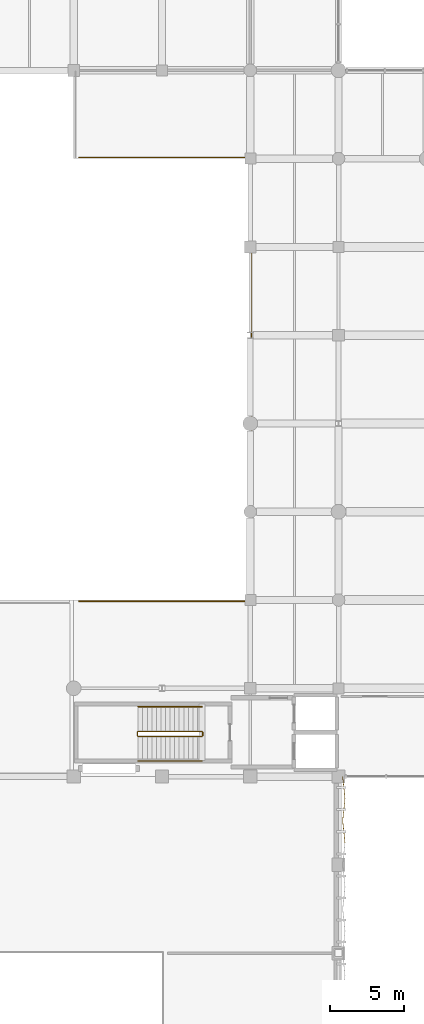
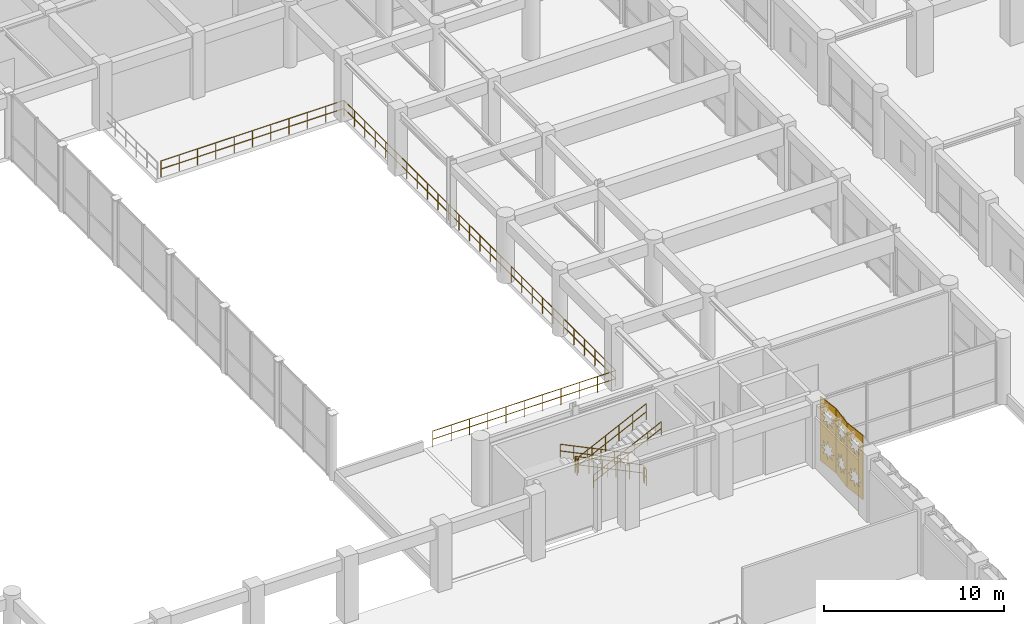
# One storey, part 131 of 133: 8 railings, 3 coverings.
"""IFC4 building model written with IfcOpenShell, lengths in metres."""

from ifc_helpers import new_model, si_unit, direction, frame, origin, origin_2d, place, context, subcontext, project, spatial, polyline, circle, outline, extrude, material, layer, layer_set, type_object, element, save


model = new_model("IFC4")

# Units and contexts
model_context = context("Model", 3, precision=1e-05, world=origin(), true_north=direction((0.0, 1.0)))
body_context = subcontext(model_context, "Body", "Model", "MODEL_VIEW")
ifc_project = project(units=[si_unit("LENGTHUNIT", "METRE"), si_unit("AREAUNIT", "SQUARE_METRE"), si_unit("VOLUMEUNIT", "CUBIC_METRE"), si_unit("PLANEANGLEUNIT", "RADIAN"), si_unit("MASSUNIT", "GRAM", prefix="KILO"), si_unit("THERMODYNAMICTEMPERATUREUNIT", "KELVIN"), si_unit("POWERUNIT", "WATT")], contexts=[model_context])

# Site, building, storey
site_placement = place(None, origin())
site = spatial("IfcSite", under=ifc_project, at=site_placement, CompositionType="ELEMENT")
building_placement = place(site_placement, origin())
building = spatial("IfcBuilding", under=site, at=building_placement, Name="Phaisarnlok Congress Hotel", CompositionType="ELEMENT")
storey_placement = place(building_placement, frame((0.0, 0.0, 6.0)))
storey = spatial("IfcBuildingStorey", under=building, at=storey_placement, Name="L01", CompositionType="ELEMENT", Elevation=6.0)

# Coverings
ifc_material_1 = material(Name="PVDF White Perforated Aluminium Alloy 5052", Category="aluminium")
ifc_layer = layer(ifc_material_1, 0.0400390625, Name="PVDF White Perforated Aluminium Alloy 5052")
ifc_layer_set = layer_set([ifc_layer], Name="PVDF White Perforated Aluminium Alloy 5052")
covering_type = type_object("IfcCoveringType", Name="COV-STAR-FOLD", PredefinedType="CLADDING", material=ifc_layer_set)
for number, where, z_axis, x_axis, name in (
    (1, (144.300048828125, 33.0, 0.06005859375), (-0.994517863207, -0.104566819602, 0.0), (0.104566819602, -0.994517863207, 0.0), "Folded star-perforated hall screen SS-02 (V2E L01)"),
    (2, (144.457763671875, 34.5, 0.06005859375), (-0.994517863207, 0.104566819602, 0.0), (-0.104566819602, -0.994517863207, 0.0), "Folded star-perforated hall screen SS-02 (V2E L01)"),
    (3, (144.300048828125, 36.0, 0.06005859375), (-0.994517863207, -0.104566819602, 0.0), (0.104566819602, -0.994517863207, 0.0), "Folded star-perforated hall screen SS-02 (V2E L01)"),
):
    element("IfcCovering", number, at=place(storey_placement, frame(where, z_axis=z_axis, x_axis=x_axis)), inside=storey, type_object=covering_type, Name=name, PredefinedType="CLADDING", context=body_context, shape_type="SweptSolid", body=[
        extrude(outline(polyline([(0.0, 0.0), (1.5082685344258453, 0.0), (1.5082685344258453, 4.35986328125), (0.0, 4.35986328125), (0.0, 0.0)]), holes=[polyline([(1.0351, 0.9736), (1.2021, 0.6421), (0.8705, 0.8091), (0.7541, 0.4565), (0.6378, 0.8091), (0.3062, 0.6421), (0.4732, 0.9736), (0.1207, 1.09), (0.4732, 1.2064), (0.3062, 1.5379), (0.6378, 1.3709), (0.7541, 1.7235), (0.8705, 1.3709), (1.2021, 1.5379), (1.0351, 1.2064), (1.3876, 1.09), (1.0351, 0.9736)]), polyline([(1.0351, 3.1536), (1.2021, 2.8221), (0.8705, 2.9891), (0.7541, 2.6365), (0.6378, 2.9891), (0.3062, 2.8221), (0.4732, 3.1536), (0.1207, 3.27), (0.4732, 3.3864), (0.3062, 3.7179), (0.6378, 3.5509), (0.7541, 3.9035), (0.8705, 3.5509), (1.2021, 3.7179), (1.0351, 3.3864), (1.3876, 3.27), (1.0351, 3.1536)])]), origin(), (0.0, 0.0, 1.0), 0.0400390625),
    ])

# Railings
ifc_material_2 = material(Name="Laminated Glass & Stainless Steel Grade 316", Category="steel")
railing_type_1 = type_object("IfcRailingType", Name="RLG-INT-1100", PredefinedType="BALUSTRADE", material=ifc_material_2)
railing_1_placement = place(storey_placement, frame((138.080078125, 47.919921875, 0.0)))
element("IfcRailing", 4, at=railing_1_placement, inside=storey, type_object=railing_type_1, Name="Atrium gallery guard balustrade GD-02 (L01 v4_e)", PredefinedType="BALUSTRADE", context=body_context, shape_type="SweptSolid", body=[
    extrude(circle(Radius=0.02392578125, at=origin_2d()), frame((0.0, 0.0, 1.076171875), z_axis=(0.0, 1.0, 0.0), x_axis=(-1.0, 0.0, 0.0)), (0.0, 0.0, 1.0), 30.16015625),
    extrude(circle(Radius=0.02392578125, at=origin_2d()), frame((0.0, 0.0, 0.52587890625), z_axis=(0.0, 1.0, 0.0), x_axis=(-1.0, 0.0, 0.0)), (0.0, 0.0, 1.0), 30.16015625),
    extrude(circle(Radius=0.02392578125, at=origin_2d()), frame((0.0, 30.16015625, 1.076171875), z_axis=(-1.0, 0.0, 0.0), x_axis=(0.0, -1.0, 0.0)), (0.0, 0.0, 1.0), 11.719970703125),
    extrude(circle(Radius=0.02392578125, at=origin_2d()), frame((0.0, 30.16015625, 0.52587890625), z_axis=(-1.0, 0.0, 0.0), x_axis=(0.0, -1.0, 0.0)), (0.0, 0.0, 1.0), 11.719970703125),
    extrude(circle(Radius=0.02099609375, at=origin_2d()), origin(), (0.0, 0.0, 1.0), 1.052001953125),
    extrude(circle(Radius=0.02099609375, at=origin_2d()), frame((0.0, 1.159912109375, 0.0)), (0.0, 0.0, 1.0), 1.052001953125),
    extrude(circle(Radius=0.02099609375, at=origin_2d()), frame((0.0, 2.320068359375, 0.0)), (0.0, 0.0, 1.0), 1.052001953125),
    extrude(circle(Radius=0.02099609375, at=origin_2d()), frame((0.0, 3.47998046875, 0.0)), (0.0, 0.0, 1.0), 1.052001953125),
    extrude(circle(Radius=0.02099609375, at=origin_2d()), frame((0.0, 4.64013671875, 0.0)), (0.0, 0.0, 1.0), 1.052001953125),
    extrude(circle(Radius=0.02099609375, at=origin_2d()), frame((0.0, 5.800048828125, 0.0)), (0.0, 0.0, 1.0), 1.052001953125),
    extrude(circle(Radius=0.02099609375, at=origin_2d()), frame((0.0, 6.9599609375, 0.0)), (0.0, 0.0, 1.0), 1.052001953125),
    extrude(circle(Radius=0.02099609375, at=origin_2d()), frame((0.0, 8.1201171875, 0.0)), (0.0, 0.0, 1.0), 1.052001953125),
    extrude(circle(Radius=0.02099609375, at=origin_2d()), frame((0.0, 9.280029296875, 0.0)), (0.0, 0.0, 1.0), 1.052001953125),
    extrude(circle(Radius=0.02099609375, at=origin_2d()), frame((0.0, 10.43994140625, 0.0)), (0.0, 0.0, 1.0), 1.052001953125),
    extrude(circle(Radius=0.02099609375, at=origin_2d()), frame((0.0, 11.60009765625, 0.0)), (0.0, 0.0, 1.0), 1.052001953125),
    extrude(circle(Radius=0.02099609375, at=origin_2d()), frame((0.0, 12.760009765625, 0.0)), (0.0, 0.0, 1.0), 1.052001953125),
    extrude(circle(Radius=0.02099609375, at=origin_2d()), frame((0.0, 13.920166015625, 0.0)), (0.0, 0.0, 1.0), 1.052001953125),
    extrude(circle(Radius=0.02099609375, at=origin_2d()), frame((0.0, 15.080078125, 0.0)), (0.0, 0.0, 1.0), 1.052001953125),
    extrude(circle(Radius=0.02099609375, at=origin_2d()), frame((0.0, 16.239990234375, 0.0)), (0.0, 0.0, 1.0), 1.052001953125),
    extrude(circle(Radius=0.02099609375, at=origin_2d()), frame((0.0, 17.400146484375, 0.0)), (0.0, 0.0, 1.0), 1.052001953125),
    extrude(circle(Radius=0.02099609375, at=origin_2d()), frame((0.0, 18.56005859375, 0.0)), (0.0, 0.0, 1.0), 1.052001953125),
    extrude(circle(Radius=0.02099609375, at=origin_2d()), frame((0.0, 19.72021484375, 0.0)), (0.0, 0.0, 1.0), 1.052001953125),
    extrude(circle(Radius=0.02099609375, at=origin_2d()), frame((0.0, 20.880126953125, 0.0)), (0.0, 0.0, 1.0), 1.052001953125),
    extrude(circle(Radius=0.02099609375, at=origin_2d()), frame((0.0, 22.0400390625, 0.0)), (0.0, 0.0, 1.0), 1.052001953125),
    extrude(circle(Radius=0.02099609375, at=origin_2d()), frame((0.0, 23.2001953125, 0.0)), (0.0, 0.0, 1.0), 1.052001953125),
    extrude(circle(Radius=0.02099609375, at=origin_2d()), frame((0.0, 24.360107421875, 0.0)), (0.0, 0.0, 1.0), 1.052001953125),
    extrude(circle(Radius=0.02099609375, at=origin_2d()), frame((0.0, 25.52001953125, 0.0)), (0.0, 0.0, 1.0), 1.052001953125),
    extrude(circle(Radius=0.02099609375, at=origin_2d()), frame((0.0, 26.68017578125, 0.0)), (0.0, 0.0, 1.0), 1.052001953125),
    extrude(circle(Radius=0.02099609375, at=origin_2d()), frame((0.0, 27.840087890625, 0.0)), (0.0, 0.0, 1.0), 1.052001953125),
    extrude(circle(Radius=0.02099609375, at=origin_2d()), frame((0.0, 29.000244140625, 0.0)), (0.0, 0.0, 1.0), 1.052001953125),
    extrude(circle(Radius=0.02099609375, at=origin_2d()), frame((0.0, 30.16015625, 0.0)), (0.0, 0.0, 1.0), 1.052001953125),
    extrude(circle(Radius=0.02099609375, at=origin_2d()), frame((-1.171875, 30.16015625, 0.0)), (0.0, 0.0, 1.0), 1.052001953125),
    extrude(circle(Radius=0.02099609375, at=origin_2d()), frame((-2.343994140625, 30.16015625, 0.0)), (0.0, 0.0, 1.0), 1.052001953125),
    extrude(circle(Radius=0.02099609375, at=origin_2d()), frame((-3.51611328125, 30.16015625, 0.0)), (0.0, 0.0, 1.0), 1.052001953125),
    extrude(circle(Radius=0.02099609375, at=origin_2d()), frame((-4.68798828125, 30.16015625, 0.0)), (0.0, 0.0, 1.0), 1.052001953125),
    extrude(circle(Radius=0.02099609375, at=origin_2d()), frame((-5.85986328125, 30.16015625, 0.0)), (0.0, 0.0, 1.0), 1.052001953125),
    extrude(circle(Radius=0.02099609375, at=origin_2d()), frame((-7.031982421875, 30.16015625, 0.0)), (0.0, 0.0, 1.0), 1.052001953125),
    extrude(circle(Radius=0.02099609375, at=origin_2d()), frame((-8.2041015625, 30.16015625, 0.0)), (0.0, 0.0, 1.0), 1.052001953125),
    extrude(circle(Radius=0.02099609375, at=origin_2d()), frame((-9.3759765625, 30.16015625, 0.0)), (0.0, 0.0, 1.0), 1.052001953125),
    extrude(circle(Radius=0.02099609375, at=origin_2d()), frame((-10.5478515625, 30.16015625, 0.0)), (0.0, 0.0, 1.0), 1.052001953125),
    extrude(circle(Radius=0.02099609375, at=origin_2d()), frame((-11.719970703125, 30.16015625, 0.0)), (0.0, 0.0, 1.0), 1.052001953125),
])
railing_2_placement = place(storey_placement, frame((126.360107421875, 47.919921875, 0.0)))
element("IfcRailing", 5, at=railing_2_placement, inside=storey, type_object=railing_type_1, Name="Atrium gallery guard balustrade GD-02 (L01 v4_e)", PredefinedType="BALUSTRADE", context=body_context, shape_type="SweptSolid", body=[
    extrude(circle(Radius=0.02392578125, at=origin_2d()), frame((0.0, 0.0, 1.076171875), z_axis=(1.0, 0.0, 0.0), x_axis=(0.0, 1.0, 0.0)), (0.0, 0.0, 1.0), 11.719970703125),
    extrude(circle(Radius=0.02392578125, at=origin_2d()), frame((0.0, 0.0, 0.52587890625), z_axis=(1.0, 0.0, 0.0), x_axis=(0.0, 1.0, 0.0)), (0.0, 0.0, 1.0), 11.719970703125),
    extrude(circle(Radius=0.02099609375, at=origin_2d()), origin(), (0.0, 0.0, 1.0), 1.052001953125),
    extrude(circle(Radius=0.02099609375, at=origin_2d()), frame((1.171875, 0.0, 0.0)), (0.0, 0.0, 1.0), 1.052001953125),
    extrude(circle(Radius=0.02099609375, at=origin_2d()), frame((2.343994140625, 0.0, 0.0)), (0.0, 0.0, 1.0), 1.052001953125),
    extrude(circle(Radius=0.02099609375, at=origin_2d()), frame((3.51611328125, 0.0, 0.0)), (0.0, 0.0, 1.0), 1.052001953125),
    extrude(circle(Radius=0.02099609375, at=origin_2d()), frame((4.68798828125, 0.0, 0.0)), (0.0, 0.0, 1.0), 1.052001953125),
    extrude(circle(Radius=0.02099609375, at=origin_2d()), frame((5.85986328125, 0.0, 0.0)), (0.0, 0.0, 1.0), 1.052001953125),
    extrude(circle(Radius=0.02099609375, at=origin_2d()), frame((7.031982421875, 0.0, 0.0)), (0.0, 0.0, 1.0), 1.052001953125),
    extrude(circle(Radius=0.02099609375, at=origin_2d()), frame((8.2041015625, 0.0, 0.0)), (0.0, 0.0, 1.0), 1.052001953125),
    extrude(circle(Radius=0.02099609375, at=origin_2d()), frame((9.3759765625, 0.0, 0.0)), (0.0, 0.0, 1.0), 1.052001953125),
    extrude(circle(Radius=0.02099609375, at=origin_2d()), frame((10.5478515625, 0.0, 0.0)), (0.0, 0.0, 1.0), 1.052001953125),
    extrude(circle(Radius=0.02099609375, at=origin_2d()), frame((11.719970703125, 0.0, 0.0)), (0.0, 0.0, 1.0), 1.052001953125),
])
ifc_material_3 = material(Name="Painted Galvanised Steel S275", Category="steel")
railing_type_2 = type_object("IfcRailingType", Name="RLG-STR-GUARD", PredefinedType="BALUSTRADE", material=ifc_material_3)
railing_3_placement = place(storey_placement, frame((134.719970703125, 39.070068359375, 0.14990234375)))
element("IfcRailing", 6, at=railing_3_placement, inside=storey, type_object=railing_type_2, Name="L01 ST-02 stair guard 1", PredefinedType="BALUSTRADE", context=body_context, shape_type="SweptSolid", body=[
    extrude(circle(Radius=0.02392578125, at=origin_2d()), frame((0.0, 0.0, 1.076171875), z_axis=(-0.900154768424, 0.0, 0.435570192832), x_axis=(0.0, -1.0, 0.0)), (0.0, 0.0, 1.0), 4.821533203125),
    extrude(circle(Radius=0.02392578125, at=origin_2d()), frame((0.0, 0.0, 0.52587890625), z_axis=(-0.900154768424, 0.0, 0.435570192832), x_axis=(0.0, -1.0, 0.0)), (0.0, 0.0, 1.0), 4.821533203125),
    extrude(circle(Radius=0.02099609375, at=origin_2d()), origin(), (0.0, 0.0, 1.0), 1.052001953125),
    extrude(circle(Radius=0.02099609375, at=origin_2d()), frame((-0.867919921875, 0.0, 0.419921875)), (0.0, 0.0, 1.0), 1.052001953125),
    extrude(circle(Radius=0.02099609375, at=origin_2d()), frame((-1.736083984375, 0.0, 0.840087890625)), (0.0, 0.0, 1.0), 1.052001953125),
    extrude(circle(Radius=0.02099609375, at=origin_2d()), frame((-2.60400390625, 0.0, 1.260009765625)), (0.0, 0.0, 1.0), 1.052001953125),
    extrude(circle(Radius=0.02099609375, at=origin_2d()), frame((-3.47216796875, 0.0, 1.68017578125)), (0.0, 0.0, 1.0), 1.052001953125),
    extrude(circle(Radius=0.02099609375, at=origin_2d()), frame((-4.340087890625, 0.0, 2.10009765625)), (0.0, 0.0, 1.0), 1.052001953125),
])
railing_4_placement = place(storey_placement, frame((130.330078125, 39.02001953125, 2.25)))
element("IfcRailing", 7, at=railing_4_placement, inside=storey, type_object=railing_type_2, Name="L01 ST-02 stair guard 2", PredefinedType="BALUSTRADE", context=body_context, shape_type="SweptSolid", body=[
    extrude(circle(Radius=0.02392578125, at=origin_2d()), frame((0.0, 0.0, 1.076171875), z_axis=(0.0, -1.0, 0.0), x_axis=(1.0, 0.0, 0.0)), (0.0, 0.0, 1.0), 0.239990234375),
    extrude(circle(Radius=0.02392578125, at=origin_2d()), frame((0.0, 0.0, 0.52587890625), z_axis=(0.0, -1.0, 0.0), x_axis=(1.0, 0.0, 0.0)), (0.0, 0.0, 1.0), 0.239990234375),
    extrude(circle(Radius=0.02099609375, at=origin_2d()), origin(), (0.0, 0.0, 1.0), 1.052001953125),
    extrude(circle(Radius=0.02099609375, at=origin_2d()), frame((0.0, -0.239990234375, 0.0)), (0.0, 0.0, 1.0), 1.052001953125),
])
railing_5_placement = place(storey_placement, frame((130.3798828125, 38.72998046875, 2.39990234375)))
element("IfcRailing", 8, at=railing_5_placement, inside=storey, type_object=railing_type_2, Name="L01 ST-02 stair guard 3", PredefinedType="BALUSTRADE", context=body_context, shape_type="SweptSolid", body=[
    extrude(circle(Radius=0.02392578125, at=origin_2d()), frame((0.0, 0.0, 1.076171875), z_axis=(0.900154768424, 0.0, 0.435570192832), x_axis=(0.0, 1.0, 0.0)), (0.0, 0.0, 1.0), 4.821533203125),
    extrude(circle(Radius=0.02392578125, at=origin_2d()), frame((0.0, 0.0, 0.52587890625), z_axis=(0.900154768424, 0.0, 0.435570192832), x_axis=(0.0, 1.0, 0.0)), (0.0, 0.0, 1.0), 4.821533203125),
    extrude(circle(Radius=0.02099609375, at=origin_2d()), origin(), (0.0, 0.0, 1.0), 1.052001953125),
    extrude(circle(Radius=0.02099609375, at=origin_2d()), frame((0.867919921875, 0.0, 0.419921875)), (0.0, 0.0, 1.0), 1.052001953125),
    extrude(circle(Radius=0.02099609375, at=origin_2d()), frame((1.736083984375, 0.0, 0.840087890625)), (0.0, 0.0, 1.0), 1.052001953125),
    extrude(circle(Radius=0.02099609375, at=origin_2d()), frame((2.60400390625, 0.0, 1.260009765625)), (0.0, 0.0, 1.0), 1.052001953125),
    extrude(circle(Radius=0.02099609375, at=origin_2d()), frame((3.47216796875, 0.0, 1.68017578125)), (0.0, 0.0, 1.0), 1.052001953125),
    extrude(circle(Radius=0.02099609375, at=origin_2d()), frame((4.340087890625, 0.0, 2.10009765625)), (0.0, 0.0, 1.0), 1.052001953125),
])
railing_6_placement = place(storey_placement, frame((134.77001953125, 39.02001953125, 0.0)))
element("IfcRailing", 9, at=railing_6_placement, inside=storey, type_object=railing_type_2, Name="L01 ST-02 stair guard 4", PredefinedType="BALUSTRADE", context=body_context, shape_type="SweptSolid", body=[
    extrude(circle(Radius=0.02392578125, at=origin_2d()), frame((0.0, 0.0, 1.076171875), z_axis=(0.0, -1.0, 0.0), x_axis=(1.0, 0.0, 0.0)), (0.0, 0.0, 1.0), 0.239990234375),
    extrude(circle(Radius=0.02392578125, at=origin_2d()), frame((0.0, 0.0, 0.52587890625), z_axis=(0.0, -1.0, 0.0), x_axis=(1.0, 0.0, 0.0)), (0.0, 0.0, 1.0), 0.239990234375),
    extrude(circle(Radius=0.02099609375, at=origin_2d()), origin(), (0.0, 0.0, 1.0), 1.052001953125),
    extrude(circle(Radius=0.02099609375, at=origin_2d()), frame((0.0, -0.239990234375, 0.0)), (0.0, 0.0, 1.0), 1.052001953125),
])
ifc_material_4 = material(Name="Brushed Stainless Steel Grade 304", Category="steel")
railing_type_3 = type_object("IfcRailingType", Name="RLG-STR-HRAIL", PredefinedType="HANDRAIL", material=ifc_material_4)
railing_7_placement = place(storey_placement, frame((134.719970703125, 40.75, 0.14990234375)))
element("IfcRailing", 10, at=railing_7_placement, inside=storey, type_object=railing_type_3, Name="L01 ST-02 stair handrail 1", PredefinedType="HANDRAIL", context=body_context, shape_type="SweptSolid", body=[
    extrude(circle(Radius=0.02392578125, at=origin_2d()), frame((0.0, 0.0, 0.8759765625), z_axis=(-0.900154768424, 0.0, 0.435570192832), x_axis=(0.0, -1.0, 0.0)), (0.0, 0.0, 1.0), 4.821533203125),
    extrude(circle(Radius=0.02392578125, at=origin_2d()), frame((0.0, 0.0, 0.42578125), z_axis=(-0.900154768424, 0.0, 0.435570192832), x_axis=(0.0, -1.0, 0.0)), (0.0, 0.0, 1.0), 4.821533203125),
    extrude(circle(Radius=0.02099609375, at=origin_2d()), origin(), (0.0, 0.0, 1.0), 0.851806640625),
    extrude(circle(Radius=0.02099609375, at=origin_2d()), frame((-0.867919921875, 0.0, 0.419921875)), (0.0, 0.0, 1.0), 0.851806640625),
    extrude(circle(Radius=0.02099609375, at=origin_2d()), frame((-1.736083984375, 0.0, 0.840087890625)), (0.0, 0.0, 1.0), 0.851806640625),
    extrude(circle(Radius=0.02099609375, at=origin_2d()), frame((-2.60400390625, 0.0, 1.260009765625)), (0.0, 0.0, 1.0), 0.851806640625),
    extrude(circle(Radius=0.02099609375, at=origin_2d()), frame((-3.47216796875, 0.0, 1.68017578125)), (0.0, 0.0, 1.0), 0.851806640625),
    extrude(circle(Radius=0.02099609375, at=origin_2d()), frame((-4.340087890625, 0.0, 2.10009765625)), (0.0, 0.0, 1.0), 0.851806640625),
])
railing_8_placement = place(storey_placement, frame((130.3798828125, 37.050048828125, 2.39990234375)))
element("IfcRailing", 11, at=railing_8_placement, inside=storey, type_object=railing_type_3, Name="L01 ST-02 stair handrail 2", PredefinedType="HANDRAIL", context=body_context, shape_type="SweptSolid", body=[
    extrude(circle(Radius=0.02392578125, at=origin_2d()), frame((0.0, 0.0, 0.8759765625), z_axis=(0.900154768424, 0.0, 0.435570192832), x_axis=(0.0, 1.0, 0.0)), (0.0, 0.0, 1.0), 4.821533203125),
    extrude(circle(Radius=0.02392578125, at=origin_2d()), frame((0.0, 0.0, 0.42578125), z_axis=(0.900154768424, 0.0, 0.435570192832), x_axis=(0.0, 1.0, 0.0)), (0.0, 0.0, 1.0), 4.821533203125),
    extrude(circle(Radius=0.02099609375, at=origin_2d()), origin(), (0.0, 0.0, 1.0), 0.851806640625),
    extrude(circle(Radius=0.02099609375, at=origin_2d()), frame((0.867919921875, 0.0, 0.419921875)), (0.0, 0.0, 1.0), 0.851806640625),
    extrude(circle(Radius=0.02099609375, at=origin_2d()), frame((1.736083984375, 0.0, 0.840087890625)), (0.0, 0.0, 1.0), 0.851806640625),
    extrude(circle(Radius=0.02099609375, at=origin_2d()), frame((2.60400390625, 0.0, 1.260009765625)), (0.0, 0.0, 1.0), 0.851806640625),
    extrude(circle(Radius=0.02099609375, at=origin_2d()), frame((3.47216796875, 0.0, 1.68017578125)), (0.0, 0.0, 1.0), 0.851806640625),
    extrude(circle(Radius=0.02099609375, at=origin_2d()), frame((4.340087890625, 0.0, 2.10009765625)), (0.0, 0.0, 1.0), 0.851806640625),
])

save(model, "model.ifc")
